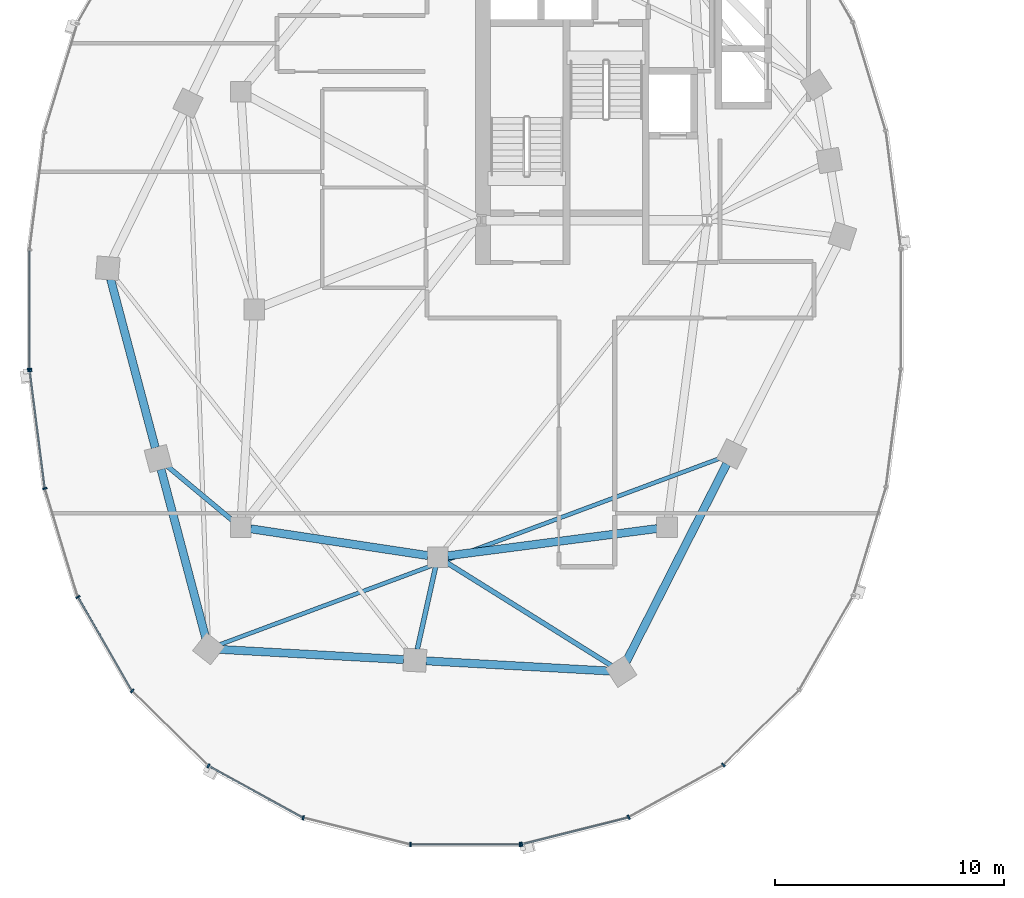
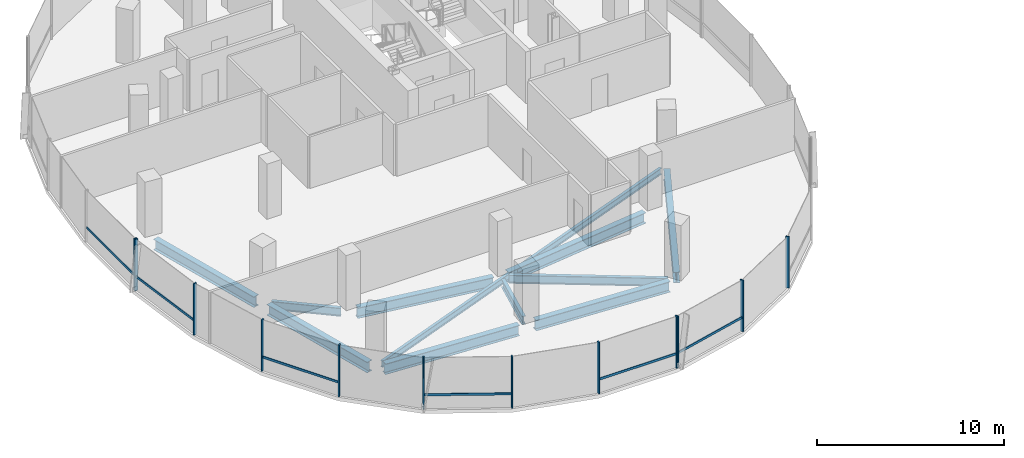
# One storey, part 2 of 22: 18 members, 11 beams, 3 elements without a shape of their own.
"""IFC4 building model written with IfcOpenShell, lengths in metres."""

from ifc_helpers import new_model, si_unit, direction, frame, origin, origin_2d, place, context, subcontext, project, spatial, rectangle, i_section, extrude, material, material_profile, profile_set, type_object, element, aggregate, save


model = new_model("IFC4")

# Units and contexts
model_context = context("Model", 3, precision=1e-05, world=origin(), true_north=direction((0.0, 1.0)))
body_context = subcontext(model_context, "Body", "Model", "MODEL_VIEW")
ifc_project = project(units=[si_unit("LENGTHUNIT", "METRE"), si_unit("AREAUNIT", "SQUARE_METRE"), si_unit("VOLUMEUNIT", "CUBIC_METRE"), si_unit("PLANEANGLEUNIT", "RADIAN"), si_unit("MASSUNIT", "GRAM", prefix="KILO"), si_unit("THERMODYNAMICTEMPERATUREUNIT", "KELVIN"), si_unit("POWERUNIT", "WATT")], contexts=[model_context])

# Site, building, storey
site_placement = place(None, origin())
site = spatial("IfcSite", under=ifc_project, at=site_placement, CompositionType="ELEMENT")
building_placement = place(site_placement, origin())
building = spatial("IfcBuilding", under=site, at=building_placement, Name="Cundina Bronze Exchange", CompositionType="ELEMENT")
storey_placement = place(building_placement, frame((0.0, 0.0, 158.39990234375)))
storey = spatial("IfcBuildingStorey", under=building, at=storey_placement, Name="L41", CompositionType="ELEMENT", Elevation=158.39990234375)

# Beams
ifc_material_1 = material(Name="Steel ASTM A992 Grade 50", Category="steel")
ifc_material_profile_1 = material_profile(ifc_material_1, i_section(OverallWidth=0.2119140625, OverallDepth=0.5439453125, WebThickness=0.01318359375, FlangeThickness=0.021240234375, FilletRadius=0.013916015625, at=origin_2d()), Name="W21X83", Category="steel")
ifc_profile_set_1 = profile_set([ifc_material_profile_1], Name="Steel ASTM A992 Grade 50")
beam_type_1 = type_object("IfcBeamType", Name="BM-FLR-W21A", PredefinedType="BEAM", material=ifc_profile_set_1)
beam_1_placement = place(storey_placement, frame((-42.136474609375, -9.219482421875, -0.511962890625), z_axis=(-0.768253211489, 0.640146079451, 0.0), x_axis=(-0.640146079451, -0.768253211489, 0.0)))
element("IfcBeam", 1, at=beam_1_placement, inside=storey, type_object=beam_type_1, Name="L41 Leg W Radial Floor Beam 09", PredefinedType="BEAM", context=body_context, shape_type="SweptSolid", body=[
    extrude(i_section(OverallWidth=0.2119140625, OverallDepth=0.5439453125, WebThickness=0.01318359375, FlangeThickness=0.021240234375, FilletRadius=0.013916015625, at=origin_2d()), origin(), (0.0, 0.0, 1.0), 3.760009765625),
])
beam_2_placement = place(storey_placement, frame((-33.294921875, -11.2275390625, -0.511962890625), z_axis=(-0.216923440287, -0.976188619609, 0.0), x_axis=(0.976188619609, -0.216923440287, 0.0)))
element("IfcBeam", 2, at=beam_2_placement, inside=storey, type_object=beam_type_1, Name="L41 Leg W Radial Floor Beam 11", PredefinedType="BEAM", context=body_context, shape_type="SweptSolid", body=[
    extrude(i_section(OverallWidth=0.2119140625, OverallDepth=0.5439453125, WebThickness=0.01318359375, FlangeThickness=0.021240234375, FilletRadius=0.013916015625, at=origin_2d()), origin(), (0.0, 0.0, 1.0), 3.68359375),
])
beam_3_placement = place(storey_placement, frame((-32.82861328125, -11.031982421875, -0.511962890625), z_axis=(0.847985407265, -0.530019574228, 0.0), x_axis=(0.530019574228, 0.847985407265, 0.0)))
element("IfcBeam", 3, at=beam_3_placement, inside=storey, type_object=beam_type_1, Name="L41 Leg W Radial Floor Beam 12", PredefinedType="BEAM", context=body_context, shape_type="SweptSolid", body=[
    extrude(i_section(OverallWidth=0.2119140625, OverallDepth=0.5439453125, WebThickness=0.01318359375, FlangeThickness=0.021240234375, FilletRadius=0.013916015625, at=origin_2d()), origin(), (0.0, 0.0, 1.0), 8.50830078125),
])
ifc_material_profile_2 = material_profile(ifc_material_1, i_section(OverallWidth=0.178955078125, OverallDepth=0.409912109375, WebThickness=0.0087890625, FlangeThickness=0.014404296875, FilletRadius=0.010986328125, at=origin_2d()), Name="W16X45", Category="steel")
ifc_profile_set_2 = profile_set([ifc_material_profile_2], Name="Steel ASTM A992 Grade 50")
beam_type_2 = type_object("IfcBeamType", Name="BM-JST-W16", PredefinedType="JOIST", material=ifc_profile_set_2)
beam_4_placement = place(storey_placement, frame((-42.74267578125, -14.629638671875, -0.44482421875), z_axis=(0.937127922351, 0.348986041483, 0.0), x_axis=(-0.348986041483, 0.937127922351, 0.0)))
element("IfcBeam", 4, at=beam_4_placement, inside=storey, type_object=beam_type_2, Name="L41 Leg W Lobe Floor Joist 10-13", PredefinedType="JOIST", context=body_context, shape_type="SweptSolid", body=[
    extrude(i_section(OverallWidth=0.178955078125, OverallDepth=0.409912109375, WebThickness=0.0087890625, FlangeThickness=0.014404296875, FilletRadius=0.010986328125, at=origin_2d()), origin(), (0.0, 0.0, 1.0), 23.38037109375),
])
ifc_material_profile_3 = material_profile(ifc_material_1, i_section(OverallWidth=0.35498046875, OverallDepth=0.695068359375, WebThickness=0.015380859375, FlangeThickness=0.02490234375, FilletRadius=0.01806640625, at=origin_2d()), Name="W27X146", Category="steel")
ifc_profile_set_3 = profile_set([ifc_material_profile_3], Name="Steel ASTM A992 Grade 50")
beam_type_3 = type_object("IfcBeamType", Name="BM-RING-W27", PredefinedType="USERDEFINED", material=ifc_profile_set_3)
beam_5_placement = place(storey_placement, frame((-41.366943359375, -9.5654296875, -0.58740234375), z_axis=(0.988764903598, -0.149478979839, 0.0), x_axis=(0.149478979839, 0.988764903598, 0.0)))
element("IfcBeam", 5, at=beam_5_placement, inside=storey, type_object=beam_type_3, Name="L41 W Inner Structural Ring Girder 05", ObjectType="GIRDER", PredefinedType="USERDEFINED", context=body_context, shape_type="SweptSolid", body=[
    extrude(i_section(OverallWidth=0.35498046875, OverallDepth=0.695068359375, WebThickness=0.015380859375, FlangeThickness=0.02490234375, FilletRadius=0.01806640625, at=origin_2d()), origin(), (0.0, 0.0, 1.0), 7.82177734375),
])
beam_6_placement = place(storey_placement, frame((-32.765625, -10.743408203125, -0.58740234375), z_axis=(0.991656498582, 0.128908451316, 0.0), x_axis=(-0.128908451316, 0.991656498582, 0.0)))
element("IfcBeam", 6, at=beam_6_placement, inside=storey, type_object=beam_type_3, Name="L41 W Inner Structural Ring Girder 06", ObjectType="GIRDER", PredefinedType="USERDEFINED", context=body_context, shape_type="SweptSolid", body=[
    extrude(i_section(OverallWidth=0.35498046875, OverallDepth=0.695068359375, WebThickness=0.015380859375, FlangeThickness=0.02490234375, FilletRadius=0.01806640625, at=origin_2d()), origin(), (0.0, 0.0, 1.0), 9.208251953125),
])
for number, where, z_axis, x_axis, name in (
    (7, (-47.47509765625, 1.328369140625, -0.58740234375), (0.256240814108, -0.966612975904, 0.0), (0.966612975904, 0.256240814108, 0.0), "L41 W Perimeter Ring Girder 08"),
    (8, (-45.27490234375, -6.9716796875, -0.58740234375), (0.256210841755, -0.96662092082, 0.0), (0.96662092082, 0.256210841755, 0.0), "L41 W Perimeter Ring Girder 09"),
):
    element("IfcBeam", number, at=place(storey_placement, frame(where, z_axis=z_axis, x_axis=x_axis)), inside=storey, type_object=beam_type_3, Name=name, ObjectType="GIRDER", PredefinedType="USERDEFINED", context=body_context, shape_type="SweptSolid", body=[
        extrude(i_section(OverallWidth=0.35498046875, OverallDepth=0.695068359375, WebThickness=0.015380859375, FlangeThickness=0.02490234375, FilletRadius=0.01806640625, at=origin_2d()), origin(), (0.0, 0.0, 1.0), 7.61083984375),
    ])
for number, where, z_axis, x_axis, name in (
    (9, (-42.712890625, -14.8271484375, -0.58740234375), (0.998460820451, -0.055461608559, 0.0), (0.055461608559, 0.998460820451, 0.0), "L41 W Perimeter Ring Girder 10"),
    (10, (-33.712890625, -15.3271484375, -0.58740234375), (0.998460820451, -0.055461608559, 0.0), (0.055461608559, 0.998460820451, 0.0), "L41 W Perimeter Ring Girder 11"),
):
    element("IfcBeam", number, at=place(storey_placement, frame(where, z_axis=z_axis, x_axis=x_axis)), inside=storey, type_object=beam_type_3, Name=name, ObjectType="GIRDER", PredefinedType="USERDEFINED", context=body_context, shape_type="SweptSolid", body=[
        extrude(i_section(OverallWidth=0.35498046875, OverallDepth=0.695068359375, WebThickness=0.015380859375, FlangeThickness=0.02490234375, FilletRadius=0.01806640625, at=origin_2d()), origin(), (0.0, 0.0, 1.0), 8.0380859375),
    ])
beam_7_placement = place(storey_placement, frame((-24.97900390625, -15.364990234375, -0.58740234375), z_axis=(0.452834585354, 0.891594548159, 0.0), x_axis=(-0.891594548159, 0.452834585354, 0.0)))
element("IfcBeam", 11, at=beam_7_placement, inside=storey, type_object=beam_type_3, Name="L41 W Perimeter Ring Girder 12", ObjectType="GIRDER", PredefinedType="USERDEFINED", context=body_context, shape_type="SweptSolid", body=[
    extrude(i_section(OverallWidth=0.35498046875, OverallDepth=0.695068359375, WebThickness=0.015380859375, FlangeThickness=0.02490234375, FilletRadius=0.01806640625, at=origin_2d()), origin(), (0.0, 0.0, 1.0), 9.67919921875),
])

# Curtain wall, member
ifc_material_2 = material(Name="Anodised Bronze Aluminium 6063-T6", Category="aluminium")
curtain_wall_type = type_object("IfcCurtainWallType", Name="CWS-WST-PIN", PredefinedType="NOTDEFINED", material=ifc_material_2)
curtain_wall_1_placement = place(storey_placement, origin())
curtain_wall_1 = element("IfcCurtainWall", 12, at=curtain_wall_1_placement, inside=storey, type_object=curtain_wall_type, Name="L41 CW-04 Curtain Wall Run CWR-L41-W2", PredefinedType="NOTDEFINED")
ifc_material_profile_4 = material_profile(ifc_material_2, rectangle(XDim=0.070068359375, YDim=0.18994140625, at=origin_2d()), Name="AL70X190", Category="aluminium")
ifc_profile_set_4 = profile_set([ifc_material_profile_4], Name="Anodised Bronze Aluminium 6063-T6")
member_type_1 = type_object("IfcMemberType", Name="CWM-MUL-190", PredefinedType="MULLION", material=ifc_profile_set_4)
member_1_placement = place(storey_placement, frame((-51.007080078125, -2.593017578125, 0.0), z_axis=(0.0, 0.0, 1.0), x_axis=(0.0, -1.0, 0.0)))
member_1 = element("IfcMember", 13, at=member_1_placement, type_object=member_type_1, Name="CW-04 End Mullion", PredefinedType="MULLION", context=body_context, shape_type="SweptSolid", body=[
    extrude(rectangle(XDim=0.070068359375, YDim=0.18994140625, at=origin_2d()), origin(), (0.0, 0.0, 1.0), 3.360107421875),
])

# Curtain wall, members
curtain_wall_2_placement = place(storey_placement, origin())
curtain_wall_2 = element("IfcCurtainWall", 14, at=curtain_wall_2_placement, inside=storey, type_object=curtain_wall_type, Name="L41 CW-04 Curtain Wall Run CWR-L41-W3", PredefinedType="NOTDEFINED")
member_2_placement = place(storey_placement, frame((-51.001708984375, -2.676025390625, 0.0), z_axis=(0.0, 0.0, 1.0), x_axis=(0.126545236492, -0.991960837494, 0.0)))
member_2 = element("IfcMember", 15, at=member_2_placement, type_object=member_type_1, Name="CW-04 Mullion 1", PredefinedType="MULLION", context=body_context, shape_type="SweptSolid", body=[
    extrude(rectangle(XDim=0.070068359375, YDim=0.18994140625, at=origin_2d()), origin(), (0.0, 0.0, 1.0), 3.360107421875),
])
member_3_placement = place(storey_placement, frame((-50.3408203125, -7.80859375, 0.0), z_axis=(0.0, 0.0, 1.0), x_axis=(0.290034140915, -0.957016299288, 0.0)))
member_3 = element("IfcMember", 16, at=member_3_placement, type_object=member_type_1, Name="CW-04 Mullion 2", PredefinedType="MULLION", context=body_context, shape_type="SweptSolid", body=[
    extrude(rectangle(XDim=0.070068359375, YDim=0.18994140625, at=origin_2d()), origin(), (0.0, 0.0, 1.0), 3.360107421875),
])
member_4_placement = place(storey_placement, frame((-48.89794921875, -12.541259765625, 0.0), z_axis=(0.0, 0.0, 1.0), x_axis=(0.498487739754, -0.866896748936, 0.0)))
member_4 = element("IfcMember", 17, at=member_4_placement, type_object=member_type_1, Name="CW-04 Mullion 3", PredefinedType="MULLION", context=body_context, shape_type="SweptSolid", body=[
    extrude(rectangle(XDim=0.070068359375, YDim=0.18994140625, at=origin_2d()), origin(), (0.0, 0.0, 1.0), 3.360107421875),
])
member_5_placement = place(storey_placement, frame((-46.530517578125, -16.640380859375, 0.0), z_axis=(0.0, 0.0, 1.0), x_axis=(0.712026045991, -0.702153052995, 0.0)))
member_5 = element("IfcMember", 18, at=member_5_placement, type_object=member_type_1, Name="CW-04 Mullion 4", PredefinedType="MULLION", context=body_context, shape_type="SweptSolid", body=[
    extrude(rectangle(XDim=0.070068359375, YDim=0.18994140625, at=origin_2d()), origin(), (0.0, 0.0, 1.0), 3.360107421875),
])
member_6_placement = place(storey_placement, frame((-43.20654296875, -19.906005859375, 0.0), z_axis=(0.0, 0.0, 1.0), x_axis=(0.875885937035, -0.482518212408, 0.0)))
member_6 = element("IfcMember", 19, at=member_6_placement, type_object=member_type_1, Name="CW-04 Mullion 5", PredefinedType="MULLION", context=body_context, shape_type="SweptSolid", body=[
    extrude(rectangle(XDim=0.070068359375, YDim=0.18994140625, at=origin_2d()), origin(), (0.0, 0.0, 1.0), 3.360107421875),
])
member_7_placement = place(storey_placement, frame((-39.067626953125, -22.17626953125, 0.0), z_axis=(0.0, 0.0, 1.0), x_axis=(0.970084240161, -0.242768546132, 0.0)))
member_7 = element("IfcMember", 20, at=member_7_placement, type_object=member_type_1, Name="CW-04 Mullion 6", PredefinedType="MULLION", context=body_context, shape_type="SweptSolid", body=[
    extrude(rectangle(XDim=0.070068359375, YDim=0.18994140625, at=origin_2d()), origin(), (0.0, 0.0, 1.0), 3.360107421875),
])
member_8_placement = place(storey_placement, frame((-34.39404296875, -23.3369140625, 0.0), z_axis=(0.0, 0.0, 1.0), x_axis=(1.0, 0.0, 0.0)))
member_8 = element("IfcMember", 21, at=member_8_placement, type_object=member_type_1, Name="CW-04 Mullion 7", PredefinedType="MULLION", context=body_context, shape_type="SweptSolid", body=[
    extrude(rectangle(XDim=0.070068359375, YDim=0.18994140625, at=origin_2d()), origin(), (0.0, 0.0, 1.0), 3.360107421875),
])
member_9_placement = place(storey_placement, frame((-29.60595703125, -23.3369140625, 0.0), z_axis=(0.0, 0.0, 1.0), x_axis=(1.0, 0.0, 0.0)))
member_9 = element("IfcMember", 22, at=member_9_placement, type_object=member_type_1, Name="CW-04 End Mullion", PredefinedType="MULLION", context=body_context, shape_type="SweptSolid", body=[
    extrude(rectangle(XDim=0.070068359375, YDim=0.18994140625, at=origin_2d()), origin(), (0.0, 0.0, 1.0), 3.360107421875),
])

curtain_wall_3_placement = place(storey_placement, origin())
curtain_wall_3 = element("IfcCurtainWall", 23, at=curtain_wall_3_placement, inside=storey, type_object=curtain_wall_type, Name="L41 CW-04 Curtain Wall Run CWR-L41-W4", PredefinedType="NOTDEFINED")
member_10_placement = place(storey_placement, frame((-29.537353515625, -23.32861328125, 0.0), z_axis=(0.0, 0.0, 1.0), x_axis=(0.970084240161, 0.242768546132, 0.0)))
member_10 = element("IfcMember", 24, at=member_10_placement, type_object=member_type_1, Name="CW-04 Mullion 1", PredefinedType="MULLION", context=body_context, shape_type="SweptSolid", body=[
    extrude(rectangle(XDim=0.070068359375, YDim=0.18994140625, at=origin_2d()), origin(), (0.0, 0.0, 1.0), 3.360107421875),
])
member_11_placement = place(storey_placement, frame((-24.86962890625, -22.151611328125, 0.0), z_axis=(0.0, 0.0, 1.0), x_axis=(0.875885937035, 0.482518212408, 0.0)))
member_11 = element("IfcMember", 25, at=member_11_placement, type_object=member_type_1, Name="CW-04 Mullion 2", PredefinedType="MULLION", context=body_context, shape_type="SweptSolid", body=[
    extrude(rectangle(XDim=0.070068359375, YDim=0.18994140625, at=origin_2d()), origin(), (0.0, 0.0, 1.0), 3.360107421875),
])
member_12_placement = place(storey_placement, frame((-20.740966796875, -19.86669921875, 0.0), z_axis=(0.0, 0.0, 1.0), x_axis=(0.712026045991, 0.702153052995, 0.0)))
member_12 = element("IfcMember", 26, at=member_12_placement, type_object=member_type_1, Name="CW-04 Mullion 3", PredefinedType="MULLION", context=body_context, shape_type="SweptSolid", body=[
    extrude(rectangle(XDim=0.070068359375, YDim=0.18994140625, at=origin_2d()), origin(), (0.0, 0.0, 1.0), 3.360107421875),
])

# Member
ifc_material_profile_5 = material_profile(ifc_material_2, rectangle(XDim=0.06494140625, YDim=0.14990234375, at=origin_2d()), Name="AL65X150", Category="aluminium")
ifc_profile_set_5 = profile_set([ifc_material_profile_5], Name="Anodised Bronze Aluminium 6063-T6")
member_type_2 = type_object("IfcMemberType", Name="CWM-TRN-150", PredefinedType="USERDEFINED", material=ifc_profile_set_5)
member_13_placement = place(storey_placement, frame((-51.007080078125, 2.554443359375, 0.920166015625), z_axis=(0.0, -1.0, 0.0), x_axis=(1.0, 0.0, 0.0)))
member_13 = element("IfcMember", 27, at=member_13_placement, type_object=member_type_2, Name="CW-04 Spandrel Transom 7", ObjectType="TRANSOM", PredefinedType="USERDEFINED", context=body_context, shape_type="SweptSolid", body=[
    extrude(rectangle(XDim=0.06494140625, YDim=0.14990234375, at=origin_2d()), origin(), (0.0, 0.0, 1.0), 5.10888671875),
])

aggregate(curtain_wall_1, [member_1, member_13])

member_14_placement = place(storey_placement, frame((-50.996826171875, -2.71435546875, 0.920166015625), z_axis=(0.12646340362, -0.991971273548, 0.0), x_axis=(0.991971273548, 0.12646340362, 0.0)))
member_14 = element("IfcMember", 28, at=member_14_placement, type_object=member_type_2, Name="CW-04 Spandrel Transom 1", ObjectType="TRANSOM", PredefinedType="USERDEFINED", context=body_context, shape_type="SweptSolid", body=[
    extrude(rectangle(XDim=0.06494140625, YDim=0.14990234375, at=origin_2d()), origin(), (0.0, 0.0, 1.0), 5.0966796875),
])

member_15_placement = place(storey_placement, frame((-48.878662109375, -12.574462890625, 0.920166015625), z_axis=(0.498479967047, -0.866901218394, 0.0), x_axis=(0.866901218394, 0.498479967047, 0.0)))
member_15 = element("IfcMember", 29, at=member_15_placement, type_object=member_type_2, Name="CW-04 Spandrel Transom 3", ObjectType="TRANSOM", PredefinedType="USERDEFINED", context=body_context, shape_type="SweptSolid", body=[
    extrude(rectangle(XDim=0.06494140625, YDim=0.14990234375, at=origin_2d()), origin(), (0.0, 0.0, 1.0), 4.66845703125),
])

member_16_placement = place(storey_placement, frame((-43.1728515625, -19.924560546875, 0.920166015625), z_axis=(0.875878981549, -0.482530838062, 0.0), x_axis=(0.482530838062, 0.875878981549, 0.0)))
member_16 = element("IfcMember", 30, at=member_16_placement, type_object=member_type_2, Name="CW-04 Spandrel Transom 5", ObjectType="TRANSOM", PredefinedType="USERDEFINED", context=body_context, shape_type="SweptSolid", body=[
    extrude(rectangle(XDim=0.06494140625, YDim=0.14990234375, at=origin_2d()), origin(), (0.0, 0.0, 1.0), 4.65380859375),
])

member_17_placement = place(storey_placement, frame((-34.35546875, -23.3369140625, 0.920166015625), z_axis=(1.0, 0.0, 0.0), x_axis=(0.0, 1.0, 0.0)))
member_17 = element("IfcMember", 31, at=member_17_placement, type_object=member_type_2, Name="CW-04 Spandrel Transom 7", ObjectType="TRANSOM", PredefinedType="USERDEFINED", context=body_context, shape_type="SweptSolid", body=[
    extrude(rectangle(XDim=0.06494140625, YDim=0.14990234375, at=origin_2d()), origin(), (0.0, 0.0, 1.0), 4.7109375),
])

aggregate(curtain_wall_2, [member_2, member_14, member_3, member_4, member_15, member_5, member_6, member_16, member_7, member_8, member_9, member_17])

member_18_placement = place(storey_placement, frame((-29.5, -23.319091796875, 0.920166015625), z_axis=(0.970100130035, 0.242705042606, 0.0), x_axis=(-0.242705042606, 0.970100130035, 0.0)))
member_18 = element("IfcMember", 32, at=member_18_placement, type_object=member_type_2, Name="CW-04 Spandrel Transom 1", ObjectType="TRANSOM", PredefinedType="USERDEFINED", context=body_context, shape_type="SweptSolid", body=[
    extrude(rectangle(XDim=0.06494140625, YDim=0.14990234375, at=origin_2d()), origin(), (0.0, 0.0, 1.0), 4.746826171875),
])

aggregate(curtain_wall_3, [member_10, member_18, member_11, member_12])

save(model, "model.ifc")
